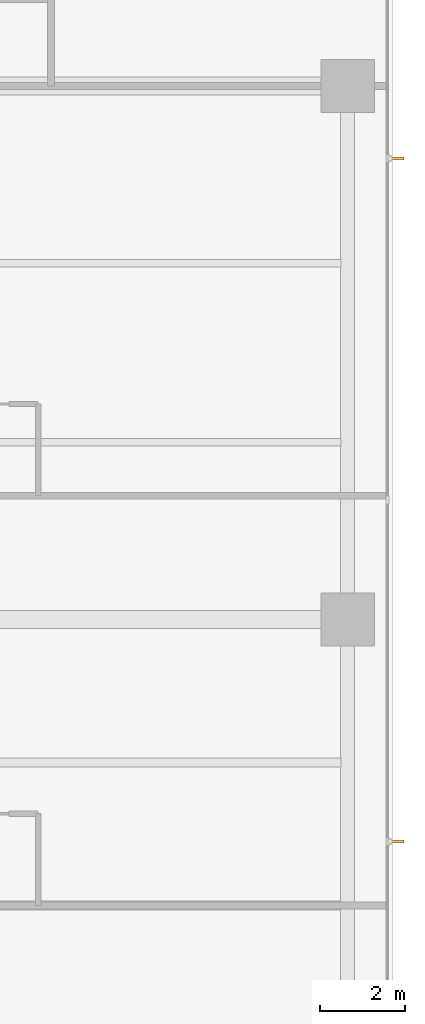
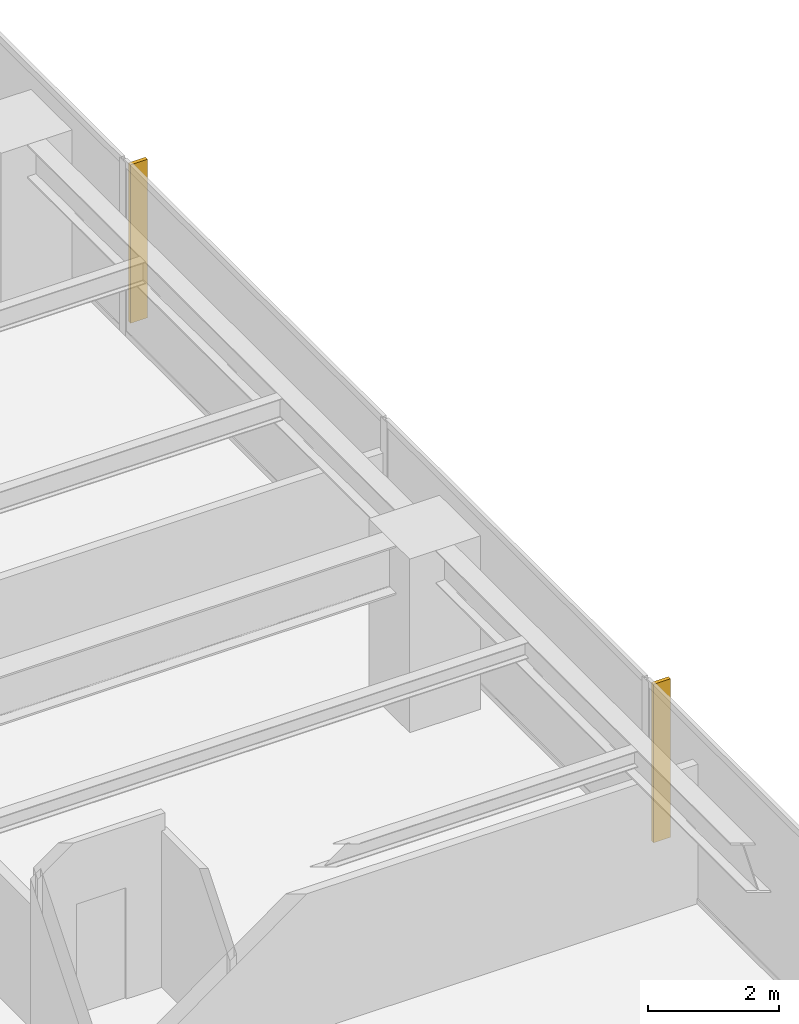
# One storey, part 17 of 18: 2 shading devices.
"""IFC4 building model written with IfcOpenShell, lengths in metres."""

import ifcopenshell
import ifcopenshell.guid

model = None  # the IFC model being written
_history = None  # IfcOwnerHistory: only IFC2X3 demands one
_inside = {}  # id of a spatial element -> (the spatial element, [elements in it])
_under = {}  # id of a project, library or spatial element -> (it, [spatial elements below it])
_declared = {}  # id of a project -> (the project, [libraries it declares])
_typed = {}  # id of a type object -> (the type object, [elements of that type])
_made_of = {}  # id of a material, layer set ... -> (it, [elements and type objects made of it])


def new_model(schema):
    """Start an empty IFC model of exactly this schema.

    Asked for "IFC4X3", IfcOpenShell would pick the latest addendum, in which some entities
    have other attributes; the version numbers below select the first issue.
    IFC2X3 requires an IfcOwnerHistory on every rooted entity: one is made here for all.
    """
    global model, _history
    if schema == "IFC4X3":
        model = ifcopenshell.file(schema_version=(4, 3, 0, 0))
    else:
        model = ifcopenshell.file(schema=schema)
    _inside.clear()
    _under.clear()
    _declared.clear()
    _typed.clear()
    _made_of.clear()
    _history = None
    if model.schema == "IFC2X3":
        org = make("IfcOrganization", Name="unknown")
        user = make(
            "IfcPersonAndOrganization",
            ThePerson=make("IfcPerson", FamilyName="unknown"),
            TheOrganization=org,
        )
        app = make(
            "IfcApplication",
            ApplicationDeveloper=org,
            Version="unknown",
            ApplicationFullName="unknown",
            ApplicationIdentifier="unknown",
        )
        _history = make(
            "IfcOwnerHistory",
            OwningUser=user,
            OwningApplication=app,
            ChangeAction="ADDED",
            CreationDate=0,
        )
    return model


def make(cls, **values):
    """One entity of the class cls with the attributes given. An attribute that is None is left unset."""
    return model.create_entity(
        cls, **{name: value for name, value in values.items() if value is not None}
    )


def rooted(cls, **values):
    """An entity with a GlobalId (a new one), such as an element, a storey or a relation."""
    return make(cls, GlobalId=ifcopenshell.guid.new(), OwnerHistory=_history, **values)


def si_unit(unit_type, name, prefix=None):
    """IfcSIUnit, for example si_unit("LENGTHUNIT", "METRE", prefix="MILLI")."""
    return make("IfcSIUnit", UnitType=unit_type, Prefix=prefix, Name=name)


def assignment(units):
    """IfcUnitAssignment: the units of a project."""
    return None if units is None else make("IfcUnitAssignment", Units=units)


def point(xyz):
    """IfcCartesianPoint."""
    return None if xyz is None else make("IfcCartesianPoint", Coordinates=xyz)


def direction(xyz):
    """IfcDirection."""
    return None if xyz is None else make("IfcDirection", DirectionRatios=xyz)


def frame(location, z_axis=None, x_axis=None):
    """IfcAxis2Placement3D, a coordinate frame: its origin and axes. An axis left out is left unset."""
    return make(
        "IfcAxis2Placement3D",
        Location=point(location),
        Axis=direction(z_axis),
        RefDirection=direction(x_axis),
    )


def origin():
    """The frame at (0, 0, 0) with its axes left unset."""
    return frame((0.0, 0.0, 0.0))


def place(relative_to, where):
    """IfcLocalPlacement: puts the frame where relative to a parent placement (None: the world)."""
    return make(
        "IfcLocalPlacement", PlacementRelTo=relative_to, RelativePlacement=where
    )


def context(
    kind, dimensions, precision=None, world=None, true_north=None, identifier=None
):
    """IfcGeometricRepresentationContext, for example the 3D "Model" context."""
    return make(
        "IfcGeometricRepresentationContext",
        ContextIdentifier=identifier,
        ContextType=kind,
        CoordinateSpaceDimension=dimensions,
        Precision=precision,
        WorldCoordinateSystem=world,
        TrueNorth=true_north,
    )


def subcontext(parent, identifier, kind, view, scale=None):
    """IfcGeometricRepresentationSubContext, for example "Body" below "Model"."""
    return make(
        "IfcGeometricRepresentationSubContext",
        ContextIdentifier=identifier,
        ContextType=kind,
        ParentContext=parent,
        TargetScale=scale,
        TargetView=view,
    )


def project(units=None, contexts=None):
    """IfcProject with its units and contexts."""
    return rooted(
        "IfcProject",
        Name="project",
        RepresentationContexts=contexts,
        UnitsInContext=assignment(units),
    )


def spatial(cls, under=None, at=None, **own):
    """A site, building, storey or space (cls), placed at a placement, below another one or the project."""
    s = rooted(cls, ObjectPlacement=at, **own)
    if under is not None:
        _under.setdefault(under.id(), (under, []))[1].append(s)
    return s


def polyline(points):
    """IfcPolyline through the points."""
    return make("IfcPolyline", Points=[point(p) for p in points])


def outline(outer, holes=None, kind="AREA"):
    """IfcArbitraryClosedProfileDef: a profile drawn as a closed curve; with holes, ...WithVoids."""
    if holes is None:
        return make("IfcArbitraryClosedProfileDef", ProfileType=kind, OuterCurve=outer)
    return make(
        "IfcArbitraryProfileDefWithVoids",
        ProfileType=kind,
        OuterCurve=outer,
        InnerCurves=holes,
    )


def extrude(swept, where, along, depth):
    """IfcExtrudedAreaSolid: the profile swept, set in the frame where, extruded along a direction by depth."""
    return make(
        "IfcExtrudedAreaSolid",
        SweptArea=swept,
        Position=where,
        ExtrudedDirection=direction(along),
        Depth=depth,
    )


def shape(context_of_items, identifier, shape_type, items):
    """IfcShapeRepresentation: the items that make up one representation, for example the "Body"."""
    return make(
        "IfcShapeRepresentation",
        ContextOfItems=context_of_items,
        RepresentationIdentifier=identifier,
        RepresentationType=shape_type,
        Items=items,
    )


def material(Name=None, Category=None):
    """IfcMaterial."""
    return make("IfcMaterial", Name=Name, Category=Category)


def layer(
    of_material, thickness, ventilated=None, Name=None, Category=None, Priority=None
):
    """IfcMaterialLayer: one layer of a wall or slab, of a material (None: an air gap)."""
    return make(
        "IfcMaterialLayer",
        Material=of_material,
        LayerThickness=thickness,
        IsVentilated=ventilated,
        Name=Name,
        Category=Category,
        Priority=Priority,
    )


def layer_set(layers, Name=None):
    """IfcMaterialLayerSet."""
    return make("IfcMaterialLayerSet", MaterialLayers=layers, LayerSetName=Name)


def made_of(thing, what):
    """Note that an element or type object is made of a material, layer set ...; save() writes the relation."""
    if what is not None:
        _made_of.setdefault(what.id(), (what, []))[1].append(thing)
    return thing


def type_object(cls, material=None, **own):
    """A type object (cls), such as IfcWallType, which elements share."""
    return made_of(rooted(cls, **own), material)


def element(
    cls,
    number,
    at=None,
    inside=None,
    cuts=None,
    type_object=None,
    material=None,
    context=None,
    identifier="Body",
    shape_type=None,
    held_by="IfcProductDefinitionShape",
    body=None,
    shapes=None,
    **own,
):
    """One element of the class cls, such as IfcWall. Its Tag is "e" and its number.

    at: its placement. inside: the storey or other place that contains it. cuts: it is an
    opening in that element (IfcRelVoidsElement). A single representation is given by context,
    identifier, shape_type and body (its items); several are given by shapes. held_by: the class
    of the entity that holds the representations. save() writes the other relations.
    """
    e = rooted(cls, Tag="e%d" % number, ObjectPlacement=at, **own)
    if body is not None:
        shapes = [shape(context, identifier, shape_type, body)]
    if shapes is not None:
        e.Representation = make(held_by, Representations=shapes)
    if inside is not None:
        _inside.setdefault(inside.id(), (inside, []))[1].append(e)
    if cuts is not None:
        rooted(
            "IfcRelVoidsElement", RelatingBuildingElement=cuts, RelatedOpeningElement=e
        )
    if type_object is not None:
        _typed.setdefault(type_object.id(), (type_object, []))[1].append(e)
    return made_of(e, material)


def aggregate(whole, parts):
    """IfcRelAggregates: a whole, such as a stair, and the parts it consists of."""
    return rooted("IfcRelAggregates", RelatingObject=whole, RelatedObjects=parts)


def save(model, path):
    """Write the relations noted so far, then the file.

    IfcRelAggregates (storeys below a building ...), IfcRelContainedInSpatialStructure (elements
    in a storey), IfcRelDefinesByType, IfcRelAssociatesMaterial and IfcRelDeclares: one each for
    every whole, place, type object, material and project.
    """
    for whole, parts in _under.values():
        aggregate(whole, parts)
    for where, things in _inside.values():
        rooted(
            "IfcRelContainedInSpatialStructure",
            RelatedElements=things,
            RelatingStructure=where,
        )
    for kind, things in _typed.values():
        rooted("IfcRelDefinesByType", RelatedObjects=things, RelatingType=kind)
    for what, things in _made_of.values():
        rooted("IfcRelAssociatesMaterial", RelatedObjects=things, RelatingMaterial=what)
    for by, libraries in _declared.values():
        rooted("IfcRelDeclares", RelatingContext=by, RelatedDefinitions=libraries)
    model.write(path)


model = new_model("IFC4")

# Units and contexts
model_context = context("Model", 3, precision=1e-05, world=origin(), true_north=direction((0.0, 1.0)))
body_context = subcontext(model_context, "Body", "Model", "MODEL_VIEW")
ifc_project = project(units=[si_unit("LENGTHUNIT", "METRE"), si_unit("AREAUNIT", "SQUARE_METRE"), si_unit("VOLUMEUNIT", "CUBIC_METRE"), si_unit("PLANEANGLEUNIT", "RADIAN"), si_unit("MASSUNIT", "GRAM", prefix="KILO")], contexts=[model_context])

# Site, building, storey
site_placement = place(None, origin())
site = spatial("IfcSite", under=ifc_project, at=site_placement, CompositionType="ELEMENT")
building_placement = place(site_placement, origin())
building = spatial("IfcBuilding", under=site, at=building_placement, Name="Qalmaran Belvedere Hotel", CompositionType="ELEMENT")
storey_placement = place(building_placement, frame((0.0, 0.0, 95.199951171875)))
storey = spatial("IfcBuildingStorey", under=building, at=storey_placement, Name="L23", CompositionType="ELEMENT", Elevation=95.199951171875)

# Shading devices
ifc_material = material(Name="Anodised Bronze Aluminium", Category="aluminium")
ifc_layer = layer(ifc_material, 0.06494140625, Name="Anodised Bronze Aluminium")
ifc_layer_set = layer_set([ifc_layer], Name="Anodised Bronze Aluminium")
shading_device_type = type_object("IfcShadingDeviceType", Name="FIN-BRNZ-300", PredefinedType="USERDEFINED", material=ifc_layer_set)
shading_device_1_placement = place(storey_placement, frame((0.0, 0.0, 0.16015625)))
element("IfcShadingDevice", 1, at=shading_device_1_placement, inside=storey, type_object=shading_device_type, Name="L23 Bronze Fin 1", ObjectType="FIN", PredefinedType="USERDEFINED", context=body_context, shape_type="SweptSolid", body=[
    extrude(outline(polyline([(58.969970703125, 15.267578125), (59.27001953125, 15.267578125), (59.27001953125, 15.33251953125), (58.969970703125, 15.33251953125), (58.969970703125, 15.267578125)])), origin(), (0.0, 0.0, 1.0), 2.9599609375),
])
shading_device_2_placement = place(storey_placement, frame((0.0, 0.0, 0.16015625)))
element("IfcShadingDevice", 2, at=shading_device_2_placement, inside=storey, type_object=shading_device_type, Name="L23 Bronze Fin 3", ObjectType="FIN", PredefinedType="USERDEFINED", context=body_context, shape_type="SweptSolid", body=[
    extrude(outline(polyline([(58.969970703125, 31.267578125), (59.27001953125, 31.267578125), (59.27001953125, 31.33251953125), (58.969970703125, 31.33251953125), (58.969970703125, 31.267578125)])), origin(), (0.0, 0.0, 1.0), 2.9599609375),
])

save(model, "model.ifc")
